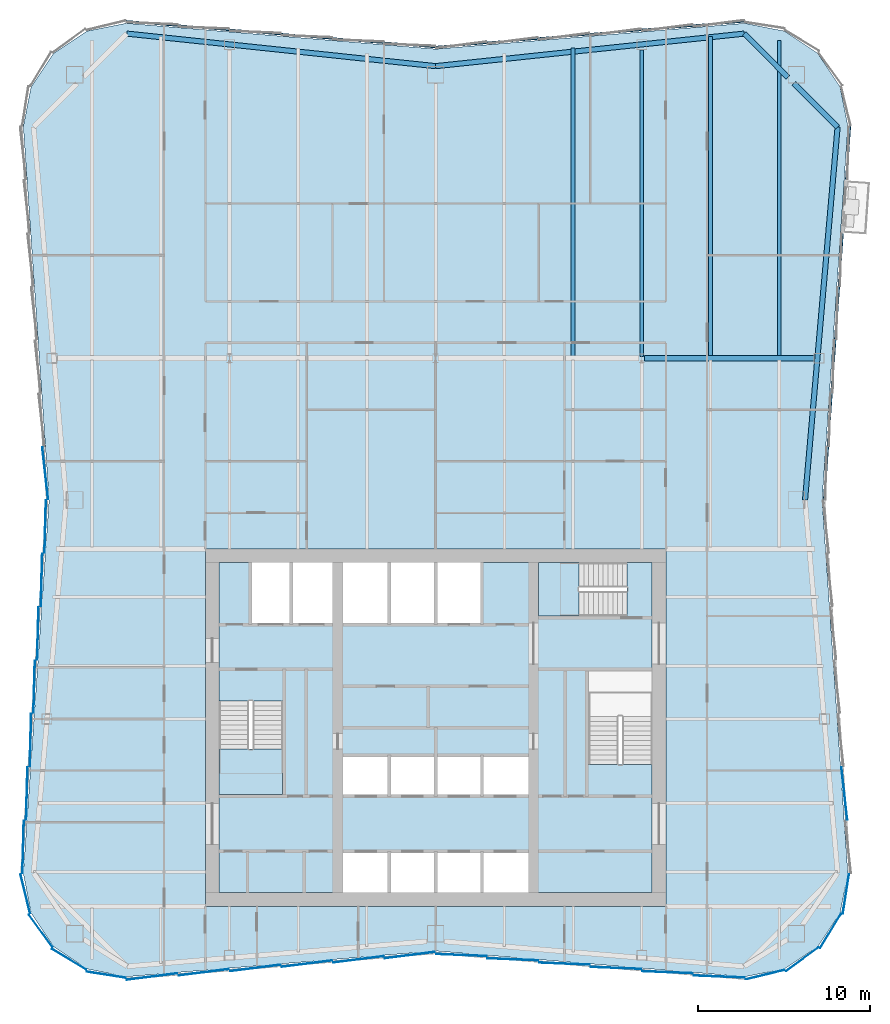
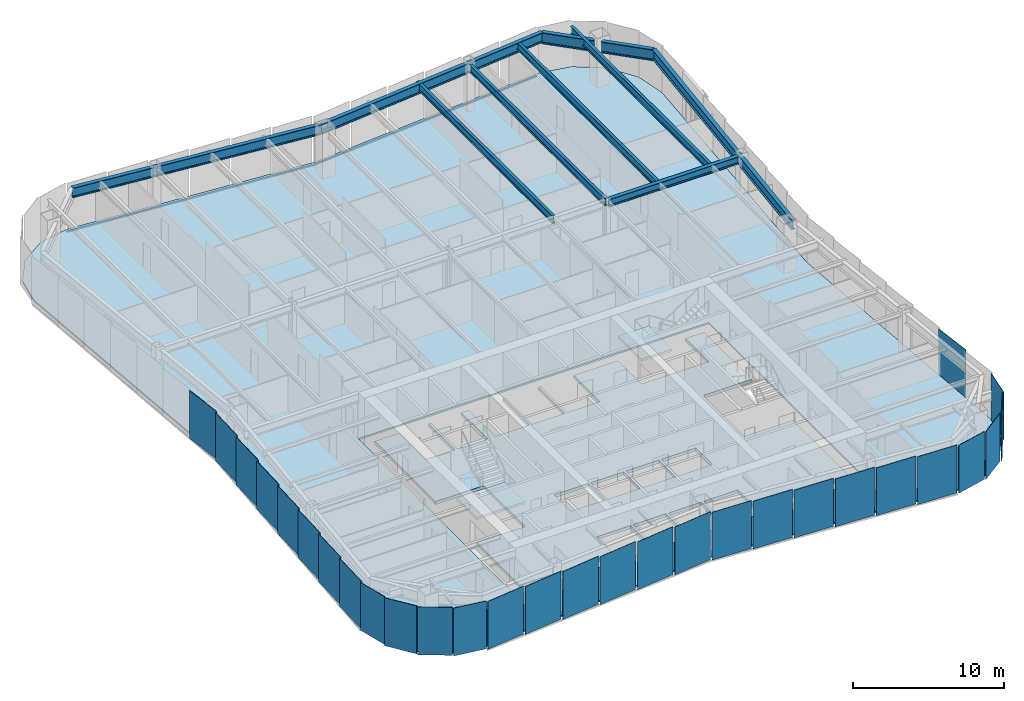
# One storey, part 4 of 12: 29 plates, 10 beams, 4 members, 4 slabs, 8 elements without a shape of their own.
"""IFC4 building model written with IfcOpenShell, lengths in metres."""

from ifc_helpers import new_model, si_unit, direction, frame, origin, origin_2d, place, context, subcontext, project, spatial, polyline, rectangle, i_section, outline, extrude, material, layer, layer_set, material_profile, profile_set, type_object, element, aggregate, save


model = new_model("IFC4")

# Units and contexts
model_context = context("Model", 3, precision=1e-05, world=origin(), true_north=direction((0.0, 1.0)))
body_context = subcontext(model_context, "Body", "Model", "MODEL_VIEW")
ifc_project = project(units=[si_unit("LENGTHUNIT", "METRE"), si_unit("AREAUNIT", "SQUARE_METRE"), si_unit("VOLUMEUNIT", "CUBIC_METRE"), si_unit("PLANEANGLEUNIT", "RADIAN"), si_unit("MASSUNIT", "GRAM", prefix="KILO")], contexts=[model_context])

# Site, building, storey
site_placement = place(None, origin())
site = spatial("IfcSite", under=ifc_project, at=site_placement, CompositionType="ELEMENT")
building_placement = place(site_placement, origin())
building = spatial("IfcBuilding", under=site, at=building_placement, Name="Verdant Reach Tower", CompositionType="ELEMENT")
storey_placement = place(building_placement, frame((0.0, 0.0, 278.0)))
storey = spatial("IfcBuildingStorey", under=building, at=storey_placement, Name="L64", CompositionType="ELEMENT", Elevation=278.0)

# Curtain wall, members
ifc_material_1 = material(Name="Anodised aluminium", Category="aluminium")
curtain_wall_type = type_object("IfcCurtainWallType", Name="EN-CW SYSTEM Z4", PredefinedType="NOTDEFINED", material=ifc_material_1)
curtain_wall_1_placement = place(storey_placement, origin())
curtain_wall_1 = element("IfcCurtainWall", 1, at=curtain_wall_1_placement, inside=storey, type_object=curtain_wall_type, Name="Curtain wall east, L64", PredefinedType="NOTDEFINED")
ifc_material_profile_1 = material_profile(ifc_material_1, rectangle(XDim=0.10009765625, YDim=0.1279296875, at=origin_2d()), Name="Transom 128x100")
ifc_profile_set_1 = profile_set([ifc_material_profile_1], Name="Anodised aluminium")
member_type = type_object("IfcMemberType", Name="EN-TRANSOM Z4", PredefinedType="USERDEFINED", material=ifc_profile_set_1)
member_1_placement = place(storey_placement, frame((22.6142578125, 41.283935546875, -0.285888671875), z_axis=(0.068829665926, 0.997628426363, 0.0), x_axis=(-0.997628426363, 0.068829665926, 0.0)))
member_1 = element("IfcMember", 2, at=member_1_placement, type_object=member_type, Name="Transom east face part 2 1.1, L64", ObjectType="TRANSOM", PredefinedType="USERDEFINED", context=body_context, shape_type="SweptSolid", body=[
    extrude(rectangle(XDim=0.10009765625, YDim=0.1279296875, at=origin_2d()), origin(), (0.0, 0.0, 1.0), 15.4970703125),
])
member_2_placement = place(storey_placement, frame((23.899658203125, 59.919189453125, -0.285888671875), z_axis=(0.068509214601, 0.997650483644, 0.0), x_axis=(-0.997650483644, 0.068509214601, 0.0)))
member_2 = element("IfcMember", 3, at=member_2_placement, type_object=member_type, Name="Transom east face part 2 2.1, L64", ObjectType="TRANSOM", PredefinedType="USERDEFINED", context=body_context, shape_type="SweptSolid", body=[
    extrude(rectangle(XDim=0.10009765625, YDim=0.1279296875, at=origin_2d()), origin(), (0.0, 0.0, 1.0), 3.06103515625),
])

curtain_wall_2_placement = place(storey_placement, origin())
curtain_wall_2 = element("IfcCurtainWall", 4, at=curtain_wall_2_placement, inside=storey, type_object=curtain_wall_type, Name="Curtain wall north, L64", PredefinedType="NOTDEFINED")
member_3_placement = place(storey_placement, frame((17.972412109375, 69.10888671875, -0.285888671875), z_axis=(-0.996549124771, -0.083005071637, 0.0), x_axis=(0.083005071637, -0.996549124771, 0.0)))
member_3 = element("IfcMember", 5, at=member_3_placement, type_object=member_type, Name="Transom north face part 1 1.1, L64", ObjectType="TRANSOM", PredefinedType="USERDEFINED", context=body_context, shape_type="SweptSolid", body=[
    extrude(rectangle(XDim=0.10009765625, YDim=0.1279296875, at=origin_2d()), origin(), (0.0, 0.0, 1.0), 18.00048828125),
])
member_4_placement = place(storey_placement, frame((-0.033935546875, 67.61474609375, -0.285888671875), z_axis=(-0.996549124771, 0.083005071637, 0.0), x_axis=(-0.083005071637, -0.996549124771, 0.0)))
member_4 = element("IfcMember", 6, at=member_4_placement, type_object=member_type, Name="Transom north face part 2 1.1, L64", ObjectType="TRANSOM", PredefinedType="USERDEFINED", context=body_context, shape_type="SweptSolid", body=[
    extrude(rectangle(XDim=0.10009765625, YDim=0.1279296875, at=origin_2d()), origin(), (0.0, 0.0, 1.0), 18.00048828125),
])
aggregate(curtain_wall_2, [member_3, member_4])

# Beams
ifc_material_2 = material(Name="Steel S355", Category="steel")
ifc_material_profile_2 = material_profile(ifc_material_2, i_section(OverallWidth=0.300048828125, OverallDepth=0.60009765625, WebThickness=0.015380859375, FlangeThickness=0.030029296875, FilletRadius=0.027099609375, at=origin_2d()), Name="HEB 600")
ifc_profile_set_2 = profile_set([ifc_material_profile_2], Name="Steel S355")
beam_type_1 = type_object("IfcBeamType", Name="ST-BEAM-HEB600", PredefinedType="BEAM", material=ifc_profile_set_2)
beam_1_placement = place(storey_placement, frame((12.153076171875, 49.5, 3.449951171875), z_axis=(1.0, 0.0, 0.0), x_axis=(0.0, 1.0, 0.0)))
element("IfcBeam", 7, at=beam_1_placement, inside=storey, type_object=beam_type_1, Name="Row girder, L64", PredefinedType="BEAM", context=body_context, shape_type="SweptSolid", body=[
    extrude(i_section(OverallWidth=0.300048828125, OverallDepth=0.60009765625, WebThickness=0.015380859375, FlangeThickness=0.030029296875, FilletRadius=0.027099609375, at=origin_2d()), origin(), (0.0, 0.0, 1.0), 9.865966796875),
])
ifc_material_profile_3 = material_profile(ifc_material_2, i_section(OverallWidth=0.219970703125, OverallDepth=0.60009765625, WebThickness=0.011962890625, FlangeThickness=0.01904296875, FilletRadius=0.02392578125, at=origin_2d()), Name="IPE 600")
ifc_profile_set_3 = profile_set([ifc_material_profile_3], Name="Steel S355")
beam_type_2 = type_object("IfcBeamType", Name="ST-JOIST-IPE600", PredefinedType="JOIST", material=ifc_profile_set_3)
beam_2_placement = place(storey_placement, frame((8.0, 49.60009765625, 3.449951171875), z_axis=(0.0, 1.0, 0.0), x_axis=(-1.0, 0.0, 0.0)))
element("IfcBeam", 8, at=beam_2_placement, inside=storey, type_object=beam_type_2, Name="Floor joist, L64", PredefinedType="JOIST", context=body_context, shape_type="SweptSolid", body=[
    extrude(i_section(OverallWidth=0.219970703125, OverallDepth=0.60009765625, WebThickness=0.011962890625, FlangeThickness=0.01904296875, FilletRadius=0.02392578125, at=origin_2d()), origin(), (0.0, 0.0, 1.0), 17.964599609375),
])
beam_3_placement = place(storey_placement, frame((12.0, 49.60009765625, 3.449951171875), z_axis=(0.0, 1.0, 0.0), x_axis=(-1.0, 0.0, 0.0)))
element("IfcBeam", 9, at=beam_3_placement, inside=storey, type_object=beam_type_2, Name="Floor joist, L64", PredefinedType="JOIST", context=body_context, shape_type="SweptSolid", body=[
    extrude(i_section(OverallWidth=0.219970703125, OverallDepth=0.60009765625, WebThickness=0.011962890625, FlangeThickness=0.01904296875, FilletRadius=0.02392578125, at=origin_2d()), origin(), (0.0, 0.0, 1.0), 17.849853515625),
])
beam_4_placement = place(storey_placement, frame((16.0, 49.60009765625, 3.449951171875), z_axis=(0.0, 1.0, 0.0), x_axis=(-1.0, 0.0, 0.0)))
element("IfcBeam", 10, at=beam_4_placement, inside=storey, type_object=beam_type_2, Name="Floor joist, L64", PredefinedType="JOIST", context=body_context, shape_type="SweptSolid", body=[
    extrude(i_section(OverallWidth=0.219970703125, OverallDepth=0.60009765625, WebThickness=0.011962890625, FlangeThickness=0.01904296875, FilletRadius=0.02392578125, at=origin_2d()), origin(), (0.0, 0.0, 1.0), 18.631103515625),
])
beam_5_placement = place(storey_placement, frame((20.0, 49.60009765625, 3.449951171875), z_axis=(0.0, 1.0, 0.0), x_axis=(-1.0, 0.0, 0.0)))
element("IfcBeam", 11, at=beam_5_placement, inside=storey, type_object=beam_type_2, Name="Floor joist, L64", PredefinedType="JOIST", context=body_context, shape_type="SweptSolid", body=[
    extrude(i_section(OverallWidth=0.219970703125, OverallDepth=0.60009765625, WebThickness=0.011962890625, FlangeThickness=0.01904296875, FilletRadius=0.02392578125, at=origin_2d()), origin(), (0.0, 0.0, 1.0), 18.390380859375),
])
ifc_material_profile_4 = material_profile(ifc_material_2, i_section(OverallWidth=0.300048828125, OverallDepth=0.800048828125, WebThickness=0.017578125, FlangeThickness=0.032958984375, FilletRadius=0.030029296875, at=origin_2d()), Name="HEB 800")
ifc_profile_set_4 = profile_set([ifc_material_profile_4], Name="Steel S355")
beam_type_3 = type_object("IfcBeamType", Name="ST-SPANDREL-HEB800", PredefinedType="SPANDREL", material=ifc_profile_set_4)
for number, where, z_axis, x_axis, name in (
    (12, (-17.9658203125, 68.39501953125, 3.35009765625), (0.994483067002, -0.104897232783, 0.0), (0.104897232783, 0.994483067002, 0.0), "Edge beam, L64"),
    (13, (0.0, 66.5, 3.35009765625), (0.994483067002, 0.104897232783, 0.0), (-0.104897232783, 0.994483067002, 0.0), "Edge beam, L64"),
):
    element("IfcBeam", number, at=place(storey_placement, frame(where, z_axis=z_axis, x_axis=x_axis)), inside=storey, type_object=beam_type_3, Name=name, PredefinedType="SPANDREL", context=body_context, shape_type="SweptSolid", body=[
        extrude(i_section(OverallWidth=0.300048828125, OverallDepth=0.800048828125, WebThickness=0.017578125, FlangeThickness=0.032958984375, FilletRadius=0.030029296875, at=origin_2d()), origin(), (0.0, 0.0, 1.0), 18.0654296875),
    ])
beam_6_placement = place(storey_placement, frame((23.39599609375, 62.96142578125, 3.35009765625), z_axis=(-0.086996024331, -0.996208658741, 0.0), x_axis=(0.996208658741, -0.086996024331, 0.0)))
element("IfcBeam", 14, at=beam_6_placement, inside=storey, type_object=beam_type_3, Name="Edge beam, L64", PredefinedType="SPANDREL", context=body_context, shape_type="SweptSolid", body=[
    extrude(i_section(OverallWidth=0.300048828125, OverallDepth=0.800048828125, WebThickness=0.017578125, FlangeThickness=0.032958984375, FilletRadius=0.030029296875, at=origin_2d()), origin(), (0.0, 0.0, 1.0), 21.7939453125),
])
ifc_material_profile_5 = material_profile(ifc_material_2, i_section(OverallWidth=0.302001953125, OverallDepth=0.909912109375, WebThickness=0.02099609375, FlangeThickness=0.0400390625, FilletRadius=0.030029296875, at=origin_2d()), Name="HEM 900")
ifc_profile_set_5 = profile_set([ifc_material_profile_5], Name="Steel S355")
beam_type_4 = type_object("IfcBeamType", Name="ST-SPANDREL-HEM900", PredefinedType="SPANDREL", material=ifc_profile_set_5)
beam_7_placement = place(storey_placement, frame((17.9658203125, 68.39501953125, 3.294921875), z_axis=(0.706868394255, -0.707345087777, 0.0), x_axis=(0.707345087777, 0.706868394255, 0.0)))
element("IfcBeam", 15, at=beam_7_placement, inside=storey, type_object=beam_type_4, Name="Edge beam, L64", PredefinedType="SPANDREL", context=body_context, shape_type="SweptSolid", body=[
    extrude(i_section(OverallWidth=0.302001953125, OverallDepth=0.909912109375, WebThickness=0.02099609375, FlangeThickness=0.0400390625, FilletRadius=0.030029296875, at=origin_2d()), origin(), (0.0, 0.0, 1.0), 3.5849609375),
])
beam_8_placement = place(storey_placement, frame((20.85888671875, 65.5, 3.294921875), z_axis=(0.706902680526, -0.707310822952, 0.0), x_axis=(0.707310822952, 0.706902680526, 0.0)))
element("IfcBeam", 16, at=beam_8_placement, inside=storey, type_object=beam_type_4, Name="Edge beam, L64", PredefinedType="SPANDREL", context=body_context, shape_type="SweptSolid", body=[
    extrude(i_section(OverallWidth=0.302001953125, OverallDepth=0.909912109375, WebThickness=0.02099609375, FlangeThickness=0.0400390625, FilletRadius=0.030029296875, at=origin_2d()), origin(), (0.0, 0.0, 1.0), 3.589111328125),
])

# Stair, slab
ifc_material_3 = material(Name="Concrete C40/50", Category="concrete")
stair_type = type_object("IfcStairType", Name="CO-STAIR", PredefinedType="HALF_TURN_STAIR", material=ifc_material_3)
stair_1_placement = place(storey_placement, origin())
stair_1 = element("IfcStair", 17, at=stair_1_placement, inside=storey, type_object=stair_type, Name="L64 Exit stair 1", PredefinedType="HALF_TURN_STAIR")
ifc_layer_1 = layer(ifc_material_3, 0.199951171875)
ifc_layer_set_1 = layer_set([ifc_layer_1], Name="CO-STAIR-LANDING")
slab_type_1 = type_object("IfcSlabType", Name="CO-STAIR-LANDING", PredefinedType="LANDING", material=ifc_layer_set_1)
slab_1_placement = place(storey_placement, frame((0.0, 0.0, 1.800048828125)))
slab_1 = element("IfcSlab", 18, at=slab_1_placement, type_object=slab_type_1, Name="ST-1 landing 1", PredefinedType="LANDING", context=body_context, shape_type="SweptSolid", body=[
    extrude(outline(polyline([(-12.60009765625, 26.75), (-12.60009765625, 24.10009765625), (-8.89990234375, 24.10009765625), (-8.89990234375, 26.75), (-12.60009765625, 26.75)])), origin(), (0.0, 0.0, 1.0), 0.199951171875),
])
aggregate(stair_1, [slab_1])

stair_2_placement = place(storey_placement, origin())
stair_2 = element("IfcStair", 19, at=stair_2_placement, inside=storey, type_object=stair_type, Name="L64 Exit stair 3", PredefinedType="HALF_TURN_STAIR")
slab_2_placement = place(storey_placement, frame((0.0, 0.0, 1.800048828125)))
slab_2 = element("IfcSlab", 20, at=slab_2_placement, type_object=slab_type_1, Name="ST-3 landing 1", PredefinedType="LANDING", context=body_context, shape_type="SweptSolid", body=[
    extrude(outline(polyline([(8.35009765625, 37.60009765625), (6.0, 37.60009765625), (6.0, 34.5), (8.35009765625, 34.5), (8.35009765625, 37.60009765625)])), origin(), (0.0, 0.0, 1.0), 0.199951171875),
])
aggregate(stair_2, [slab_2])

# Curtain wall, plates
curtain_wall_3_placement = place(storey_placement, origin())
curtain_wall_3 = element("IfcCurtainWall", 21, at=curtain_wall_3_placement, inside=storey, type_object=curtain_wall_type, Name="Curtain wall south-east corner, L64", PredefinedType="NOTDEFINED")
ifc_material_4 = material(Name="Tinted glass with champagne spandrel", Category="glass")
ifc_layer_2 = layer(ifc_material_4, 0.031982421875)
ifc_layer_set_2 = layer_set([ifc_layer_2], Name="EN-PANEL CHAMPAGNE")
plate_type_1 = type_object("IfcPlateType", Name="EN-PANEL CHAMPAGNE", PredefinedType="CURTAIN_PANEL", material=ifc_layer_set_2)
plate_1_placement = place(storey_placement, frame((22.984375, 16.169677734375, -0.221923828125), z_axis=(0.0, 0.0, 1.0), x_axis=(0.520291539577, 0.853988708265, 0.0)))
plate_1 = element("IfcPlate", 22, at=plate_1_placement, type_object=plate_type_1, Name="Glass panel south-east corner 3.1, L64", PredefinedType="CURTAIN_PANEL", context=body_context, shape_type="SweptSolid", body=[
    extrude(rectangle(XDim=2.32080078125, YDim=0.031982421875, at=origin_2d()), origin(), (0.0, 0.0, 1.0), 3.8720703125),
])
plate_2_placement = place(storey_placement, frame((23.87939453125, 18.326904296875, -0.221923828125), z_axis=(0.0, 0.0, 1.0), x_axis=(0.154324690427, 0.988020187003, 0.0)))
plate_2 = element("IfcPlate", 23, at=plate_2_placement, type_object=plate_type_1, Name="Glass panel south-east corner 4.1, L64", PredefinedType="CURTAIN_PANEL", context=body_context, shape_type="SweptSolid", body=[
    extrude(rectangle(XDim=2.313720703125, YDim=0.031982421875, at=origin_2d()), origin(), (0.0, 0.0, 1.0), 3.8720703125),
])

# Plate
plate_3_placement = place(storey_placement, frame((23.790283203125, 24.16845703125, -0.221923828125), z_axis=(0.0, 0.0, 1.0), x_axis=(-0.110518162674, 0.993874104562, 0.0)))
plate_3 = element("IfcPlate", 24, at=plate_3_placement, type_object=plate_type_1, Name="Glass panel east face part 1 2.1, L64", PredefinedType="CURTAIN_PANEL", context=body_context, shape_type="SweptSolid", body=[
    extrude(rectangle(XDim=3.050537109375, YDim=0.031982421875, at=origin_2d()), origin(), (0.0, 0.0, 1.0), 3.8720703125),
])

aggregate(curtain_wall_1, [plate_3, member_1, member_2])

# Curtain wall, plates
curtain_wall_4_placement = place(storey_placement, origin())
curtain_wall_4 = element("IfcCurtainWall", 25, at=curtain_wall_4_placement, inside=storey, type_object=curtain_wall_type, Name="Curtain wall west, L64", PredefinedType="NOTDEFINED")
plate_4_placement = place(storey_placement, frame((-22.718994140625, 42.7998046875, -0.221923828125), z_axis=(0.0, 0.0, 1.0), x_axis=(0.110603065042, -0.993864659802, 0.0)))
plate_4 = element("IfcPlate", 26, at=plate_4_placement, type_object=plate_type_1, Name="Glass panel west face part 1 7.1, L64", PredefinedType="CURTAIN_PANEL", context=body_context, shape_type="SweptSolid", body=[
    extrude(rectangle(XDim=3.042724609375, YDim=0.031982421875, at=origin_2d()), origin(), (0.0, 0.0, 1.0), 3.8720703125),
])
plate_5_placement = place(storey_placement, frame((-22.718994140625, 39.7001953125, -0.221923828125), z_axis=(0.0, 0.0, 1.0), x_axis=(-0.027050713229, -0.999634062502, 0.0)))
plate_5 = element("IfcPlate", 27, at=plate_5_placement, type_object=plate_type_1, Name="Glass panel west face part 2 1.1, L64", PredefinedType="CURTAIN_PANEL", context=body_context, shape_type="SweptSolid", body=[
    extrude(rectangle(XDim=3.042724609375, YDim=0.031982421875, at=origin_2d()), origin(), (0.0, 0.0, 1.0), 3.8720703125),
])
plate_6_placement = place(storey_placement, frame((-24.004638671875, 21.053955078125, -0.221923828125), z_axis=(0.0, 0.0, 1.0), x_axis=(-0.026651253217, -0.999644792265, 0.0)))
plate_6 = element("IfcPlate", 28, at=plate_6_placement, type_object=plate_type_1, Name="Glass panel west face part 2 7.1, L64", PredefinedType="CURTAIN_PANEL", context=body_context, shape_type="SweptSolid", body=[
    extrude(rectangle(XDim=3.0654296875, YDim=0.031982421875, at=origin_2d()), origin(), (0.0, 0.0, 1.0), 3.8720703125),
])

curtain_wall_5_placement = place(storey_placement, origin())
curtain_wall_5 = element("IfcCurtainWall", 29, at=curtain_wall_5_placement, inside=storey, type_object=curtain_wall_type, Name="Curtain wall south, L64", PredefinedType="NOTDEFINED")
plate_7_placement = place(storey_placement, frame((-10.49072265625, 14.013427734375, -0.221923828125), z_axis=(0.0, 0.0, 1.0), x_axis=(0.992194034542, 0.124703639961, 0.0)))
plate_7 = element("IfcPlate", 30, at=plate_7_placement, type_object=plate_type_1, Name="Glass panel south face part 1 3.1, L64", PredefinedType="CURTAIN_PANEL", context=body_context, shape_type="SweptSolid", body=[
    extrude(rectangle(XDim=2.9462890625, YDim=0.031982421875, at=origin_2d()), origin(), (0.0, 0.0, 1.0), 3.8720703125),
])
plate_8_placement = place(storey_placement, frame((-7.49072265625, 14.263427734375, -0.221923828125), z_axis=(0.0, 0.0, 1.0), x_axis=(0.992194034542, 0.124703639961, 0.0)))
plate_8 = element("IfcPlate", 31, at=plate_8_placement, type_object=plate_type_1, Name="Glass panel south face part 1 4.1, L64", PredefinedType="CURTAIN_PANEL", context=body_context, shape_type="SweptSolid", body=[
    extrude(rectangle(XDim=2.9462890625, YDim=0.031982421875, at=origin_2d()), origin(), (0.0, 0.0, 1.0), 3.8720703125),
])
plate_9_placement = place(storey_placement, frame((10.49072265625, 14.013427734375, -0.221923828125), z_axis=(0.0, 0.0, 1.0), x_axis=(0.999149202059, -0.041241629766, 0.0)))
plate_9 = element("IfcPlate", 32, at=plate_9_placement, type_object=plate_type_1, Name="Glass panel south face part 2 4.1, L64", PredefinedType="CURTAIN_PANEL", context=body_context, shape_type="SweptSolid", body=[
    extrude(rectangle(XDim=2.9462890625, YDim=0.031982421875, at=origin_2d()), origin(), (0.0, 0.0, 1.0), 3.8720703125),
])
plate_10_placement = place(storey_placement, frame((13.49072265625, 13.763427734375, -0.221923828125), z_axis=(0.0, 0.0, 1.0), x_axis=(0.999149202059, -0.041241629766, 0.0)))
plate_10 = element("IfcPlate", 33, at=plate_10_placement, type_object=plate_type_1, Name="Glass panel south face part 2 5.1, L64", PredefinedType="CURTAIN_PANEL", context=body_context, shape_type="SweptSolid", body=[
    extrude(rectangle(XDim=2.9462890625, YDim=0.031982421875, at=origin_2d()), origin(), (0.0, 0.0, 1.0), 3.8720703125),
])
plate_11_placement = place(storey_placement, frame((16.49853515625, 13.51318359375, -0.221923828125), z_axis=(0.0, 0.0, 1.0), x_axis=(0.999164016711, -0.040881141246, 0.0)))
plate_11 = element("IfcPlate", 34, at=plate_11_placement, type_object=plate_type_1, Name="Glass panel south face part 2 6.1, L64", PredefinedType="CURTAIN_PANEL", context=body_context, shape_type="SweptSolid", body=[
    extrude(rectangle(XDim=2.9619140625, YDim=0.031982421875, at=origin_2d()), origin(), (0.0, 0.0, 1.0), 3.8720703125),
])

# Plate
ifc_material_5 = material(Name="Tinted glass with copper spandrel", Category="glass")
ifc_layer_3 = layer(ifc_material_5, 0.031982421875)
ifc_layer_set_3 = layer_set([ifc_layer_3], Name="EN-PANEL COPPER")
plate_type_2 = type_object("IfcPlateType", Name="EN-PANEL COPPER", PredefinedType="CURTAIN_PANEL", material=ifc_layer_set_3)
plate_12_placement = place(storey_placement, frame((-22.93310546875, 36.596923828125, -0.221923828125), z_axis=(0.0, 0.0, 1.0), x_axis=(-0.026965318308, -0.999636369691, 0.0)))
plate_12 = element("IfcPlate", 35, at=plate_12_placement, type_object=plate_type_2, Name="Glass panel west face part 2 2.1, L64", PredefinedType="CURTAIN_PANEL", context=body_context, shape_type="SweptSolid", body=[
    extrude(rectangle(XDim=3.050537109375, YDim=0.031982421875, at=origin_2d()), origin(), (0.0, 0.0, 1.0), 3.8720703125),
])

plate_13_placement = place(storey_placement, frame((-23.1474609375, 33.48974609375, -0.221923828125), z_axis=(0.0, 0.0, 1.0), x_axis=(-0.026965318308, -0.999636369691, 0.0)))
plate_13 = element("IfcPlate", 36, at=plate_13_placement, type_object=plate_type_2, Name="Glass panel west face part 2 3.1, L64", PredefinedType="CURTAIN_PANEL", context=body_context, shape_type="SweptSolid", body=[
    extrude(rectangle(XDim=3.050537109375, YDim=0.031982421875, at=origin_2d()), origin(), (0.0, 0.0, 1.0), 3.8720703125),
])

# Curtain wall, plates
curtain_wall_6_placement = place(storey_placement, origin())
curtain_wall_6 = element("IfcCurtainWall", 37, at=curtain_wall_6_placement, inside=storey, type_object=curtain_wall_type, Name="Curtain wall south-west corner, L64", PredefinedType="NOTDEFINED")
plate_14_placement = place(storey_placement, frame((-23.87939453125, 18.326904296875, -0.221923828125), z_axis=(0.0, 0.0, 1.0), x_axis=(0.236458850433, -0.971641503875, 0.0)))
plate_14 = element("IfcPlate", 38, at=plate_14_placement, type_object=plate_type_2, Name="Glass panel south-west corner 1.1, L64", PredefinedType="CURTAIN_PANEL", context=body_context, shape_type="SweptSolid", body=[
    extrude(rectangle(XDim=2.313720703125, YDim=0.031982421875, at=origin_2d()), origin(), (0.0, 0.0, 1.0), 3.8720703125),
])
plate_15_placement = place(storey_placement, frame((-22.984375, 16.169677734375, -0.221923828125), z_axis=(0.0, 0.0, 1.0), x_axis=(0.589926737254, -0.80745677573, 0.0)))
plate_15 = element("IfcPlate", 39, at=plate_15_placement, type_object=plate_type_2, Name="Glass panel south-west corner 2.1, L64", PredefinedType="CURTAIN_PANEL", context=body_context, shape_type="SweptSolid", body=[
    extrude(rectangle(XDim=2.32080078125, YDim=0.031982421875, at=origin_2d()), origin(), (0.0, 0.0, 1.0), 3.8720703125),
])

# Plate
plate_16_placement = place(storey_placement, frame((-4.49072265625, 14.513427734375, -0.221923828125), z_axis=(0.0, 0.0, 1.0), x_axis=(0.992194034542, 0.124703639961, 0.0)))
plate_16 = element("IfcPlate", 40, at=plate_16_placement, type_object=plate_type_2, Name="Glass panel south face part 1 5.1, L64", PredefinedType="CURTAIN_PANEL", context=body_context, shape_type="SweptSolid", body=[
    extrude(rectangle(XDim=2.9462890625, YDim=0.031982421875, at=origin_2d()), origin(), (0.0, 0.0, 1.0), 3.8720703125),
])

plate_17_placement = place(storey_placement, frame((-1.495361328125, 14.76318359375, -0.221923828125), z_axis=(0.0, 0.0, 1.0), x_axis=(0.992177950603, 0.124831543836, 0.0)))
plate_17 = element("IfcPlate", 41, at=plate_17_placement, type_object=plate_type_2, Name="Glass panel south face part 1 6.1, L64", PredefinedType="CURTAIN_PANEL", context=body_context, shape_type="SweptSolid", body=[
    extrude(rectangle(XDim=2.93701171875, YDim=0.031982421875, at=origin_2d()), origin(), (0.0, 0.0, 1.0), 3.8720703125),
])

plate_18_placement = place(storey_placement, frame((1.495361328125, 14.76318359375, -0.221923828125), z_axis=(0.0, 0.0, 1.0), x_axis=(0.999143877249, -0.041370430933, 0.0)))
plate_18 = element("IfcPlate", 42, at=plate_18_placement, type_object=plate_type_2, Name="Glass panel south face part 2 1.1, L64", PredefinedType="CURTAIN_PANEL", context=body_context, shape_type="SweptSolid", body=[
    extrude(rectangle(XDim=2.93701171875, YDim=0.031982421875, at=origin_2d()), origin(), (0.0, 0.0, 1.0), 3.8720703125),
])

ifc_material_6 = material(Name="Tinted glass with dark bronze spandrel", Category="glass")
ifc_layer_4 = layer(ifc_material_6, 0.031982421875)
ifc_layer_set_4 = layer_set([ifc_layer_4], Name="EN-PANEL DARK")
plate_type_3 = type_object("IfcPlateType", Name="EN-PANEL DARK", PredefinedType="CURTAIN_PANEL", material=ifc_layer_set_4)
plate_19_placement = place(storey_placement, frame((19.172607421875, 13.62060546875, -0.221923828125), z_axis=(0.0, 0.0, 1.0), x_axis=(0.971652337104, 0.236414330786, 0.0)))
plate_19 = element("IfcPlate", 43, at=plate_19_placement, type_object=plate_type_3, Name="Glass panel south-east corner 1.1, L64", PredefinedType="CURTAIN_PANEL", context=body_context, shape_type="SweptSolid", body=[
    extrude(rectangle(XDim=2.314453125, YDim=0.031982421875, at=origin_2d()), origin(), (0.0, 0.0, 1.0), 3.8720703125),
])

plate_20_placement = place(storey_placement, frame((21.330322265625, 14.515625, -0.221923828125), z_axis=(0.0, 0.0, 1.0), x_axis=(0.80745677573, 0.589926737254, 0.0)))
plate_20 = element("IfcPlate", 44, at=plate_20_placement, type_object=plate_type_3, Name="Glass panel south-east corner 2.1, L64", PredefinedType="CURTAIN_PANEL", context=body_context, shape_type="SweptSolid", body=[
    extrude(rectangle(XDim=2.32080078125, YDim=0.031982421875, at=origin_2d()), origin(), (0.0, 0.0, 1.0), 3.8720703125),
])

aggregate(curtain_wall_3, [plate_19, plate_20, plate_1, plate_2])

plate_21_placement = place(storey_placement, frame((-23.36181640625, 30.3828125, -0.221923828125), z_axis=(0.0, 0.0, 1.0), x_axis=(-0.026965318308, -0.999636369691, 0.0)))
plate_21 = element("IfcPlate", 45, at=plate_21_placement, type_object=plate_type_3, Name="Glass panel west face part 2 4.1, L64", PredefinedType="CURTAIN_PANEL", context=body_context, shape_type="SweptSolid", body=[
    extrude(rectangle(XDim=3.050537109375, YDim=0.031982421875, at=origin_2d()), origin(), (0.0, 0.0, 1.0), 3.8720703125),
])

plate_22_placement = place(storey_placement, frame((-23.575927734375, 27.275634765625, -0.221923828125), z_axis=(0.0, 0.0, 1.0), x_axis=(-0.026965318308, -0.999636369691, 0.0)))
plate_22 = element("IfcPlate", 46, at=plate_22_placement, type_object=plate_type_3, Name="Glass panel west face part 2 5.1, L64", PredefinedType="CURTAIN_PANEL", context=body_context, shape_type="SweptSolid", body=[
    extrude(rectangle(XDim=3.050537109375, YDim=0.031982421875, at=origin_2d()), origin(), (0.0, 0.0, 1.0), 3.8720703125),
])

plate_23_placement = place(storey_placement, frame((-23.790283203125, 24.16845703125, -0.221923828125), z_axis=(0.0, 0.0, 1.0), x_axis=(-0.026965318308, -0.999636369691, 0.0)))
plate_23 = element("IfcPlate", 47, at=plate_23_placement, type_object=plate_type_3, Name="Glass panel west face part 2 6.1, L64", PredefinedType="CURTAIN_PANEL", context=body_context, shape_type="SweptSolid", body=[
    extrude(rectangle(XDim=3.050537109375, YDim=0.031982421875, at=origin_2d()), origin(), (0.0, 0.0, 1.0), 3.8720703125),
])

aggregate(curtain_wall_4, [plate_4, plate_5, plate_12, plate_13, plate_21, plate_22, plate_23, plate_6])

plate_24_placement = place(storey_placement, frame((-21.330322265625, 14.515625, -0.221923828125), z_axis=(0.0, 0.0, 1.0), x_axis=(0.853988708265, -0.520291539577, 0.0)))
plate_24 = element("IfcPlate", 48, at=plate_24_placement, type_object=plate_type_3, Name="Glass panel south-west corner 3.1, L64", PredefinedType="CURTAIN_PANEL", context=body_context, shape_type="SweptSolid", body=[
    extrude(rectangle(XDim=2.32080078125, YDim=0.031982421875, at=origin_2d()), origin(), (0.0, 0.0, 1.0), 3.8720703125),
])

plate_25_placement = place(storey_placement, frame((-19.172607421875, 13.62060546875, -0.221923828125), z_axis=(0.0, 0.0, 1.0), x_axis=(0.98802725693, -0.154279420415, 0.0)))
plate_25 = element("IfcPlate", 49, at=plate_25_placement, type_object=plate_type_3, Name="Glass panel south-west corner 4.1, L64", PredefinedType="CURTAIN_PANEL", context=body_context, shape_type="SweptSolid", body=[
    extrude(rectangle(XDim=2.314453125, YDim=0.031982421875, at=origin_2d()), origin(), (0.0, 0.0, 1.0), 3.8720703125),
])

aggregate(curtain_wall_6, [plate_14, plate_15, plate_24, plate_25])

plate_26_placement = place(storey_placement, frame((-16.49853515625, 13.51318359375, -0.221923828125), z_axis=(0.0, 0.0, 1.0), x_axis=(0.992238962139, 0.124345655383, 0.0)))
plate_26 = element("IfcPlate", 50, at=plate_26_placement, type_object=plate_type_3, Name="Glass panel south face part 1 1.1, L64", PredefinedType="CURTAIN_PANEL", context=body_context, shape_type="SweptSolid", body=[
    extrude(rectangle(XDim=2.9619140625, YDim=0.031982421875, at=origin_2d()), origin(), (0.0, 0.0, 1.0), 3.8720703125),
])

plate_27_placement = place(storey_placement, frame((-13.49072265625, 13.763427734375, -0.221923828125), z_axis=(0.0, 0.0, 1.0), x_axis=(0.992194034542, 0.124703639961, 0.0)))
plate_27 = element("IfcPlate", 51, at=plate_27_placement, type_object=plate_type_3, Name="Glass panel south face part 1 2.1, L64", PredefinedType="CURTAIN_PANEL", context=body_context, shape_type="SweptSolid", body=[
    extrude(rectangle(XDim=2.9462890625, YDim=0.031982421875, at=origin_2d()), origin(), (0.0, 0.0, 1.0), 3.8720703125),
])

plate_28_placement = place(storey_placement, frame((4.49072265625, 14.513427734375, -0.221923828125), z_axis=(0.0, 0.0, 1.0), x_axis=(0.999149202059, -0.041241629766, 0.0)))
plate_28 = element("IfcPlate", 52, at=plate_28_placement, type_object=plate_type_3, Name="Glass panel south face part 2 2.1, L64", PredefinedType="CURTAIN_PANEL", context=body_context, shape_type="SweptSolid", body=[
    extrude(rectangle(XDim=2.9462890625, YDim=0.031982421875, at=origin_2d()), origin(), (0.0, 0.0, 1.0), 3.8720703125),
])

plate_29_placement = place(storey_placement, frame((7.49072265625, 14.263427734375, -0.221923828125), z_axis=(0.0, 0.0, 1.0), x_axis=(0.999149202059, -0.041241629766, 0.0)))
plate_29 = element("IfcPlate", 53, at=plate_29_placement, type_object=plate_type_3, Name="Glass panel south face part 2 3.1, L64", PredefinedType="CURTAIN_PANEL", context=body_context, shape_type="SweptSolid", body=[
    extrude(rectangle(XDim=2.9462890625, YDim=0.031982421875, at=origin_2d()), origin(), (0.0, 0.0, 1.0), 3.8720703125),
])

aggregate(curtain_wall_5, [plate_26, plate_27, plate_7, plate_8, plate_16, plate_17, plate_18, plate_28, plate_29, plate_9, plate_10, plate_11])

# Slabs
ifc_material_7 = material(Name="Concrete C35/45", Category="concrete")
ifc_layer_5 = layer(ifc_material_7, 0.1298828125)
ifc_layer_set_5 = layer_set([ifc_layer_5], Name="ST-SLAB-130")
slab_type_2 = type_object("IfcSlabType", Name="ST-SLAB-130", PredefinedType="FLOOR", material=ifc_layer_set_5)
slab_3_placement = place(storey_placement, frame((0.0, 0.0, -0.1298828125)))
element("IfcSlab", 54, at=slab_3_placement, inside=storey, type_object=slab_type_2, Name="Floor slab L64", PredefinedType="FLOOR", context=body_context, shape_type="SweptSolid", body=[
    extrude(outline(polyline([(0.0, 15.0), (-18.0, 13.5), (-20.296142578125, 13.956787109375), (-22.24267578125, 15.25732421875), (-23.543212890625, 17.203857421875), (-24.0, 19.5), (-22.5, 41.25), (-24.0, 63.0), (-23.543212890625, 65.296142578125), (-22.24267578125, 67.24267578125), (-20.296142578125, 68.543212890625), (-18.0, 69.0), (0.0, 67.5), (18.0, 69.0), (20.296142578125, 68.543212890625), (22.24267578125, 67.24267578125), (23.543212890625, 65.296142578125), (24.0, 63.0), (22.5, 41.25), (24.0, 19.5), (23.543212890625, 17.203857421875), (22.24267578125, 15.25732421875), (20.296142578125, 13.956787109375), (18.0, 13.5), (0.0, 15.0)]), holes=[polyline([(13.39990234375, 38.39990234375), (-13.39990234375, 38.39990234375), (-13.39990234375, 17.60009765625), (13.39990234375, 17.60009765625), (13.39990234375, 38.39990234375)])]), origin(), (0.0, 0.0, 1.0), 0.1298828125),
])
ifc_layer_6 = layer(ifc_material_7, 0.25)
ifc_layer_set_6 = layer_set([ifc_layer_6], Name="ST-SLAB-250")
slab_type_3 = type_object("IfcSlabType", Name="ST-SLAB-250", PredefinedType="FLOOR", material=ifc_layer_set_6)
slab_4_placement = place(storey_placement, frame((0.0, 0.0, -0.25)))
element("IfcSlab", 55, at=slab_4_placement, inside=storey, type_object=slab_type_3, Name="Core floor slab L64", PredefinedType="FLOOR", context=body_context, shape_type="SweptSolid", body=[
    extrude(outline(polyline([(12.60009765625, 18.39990234375), (5.39990234375, 18.39990234375), (5.39990234375, 20.699951171875), (2.800048828125, 20.699951171875), (2.800048828125, 18.39990234375), (2.60009765625, 18.39990234375), (2.60009765625, 20.699951171875), (0.10009765625, 20.699951171875), (0.10009765625, 18.39990234375), (-0.10009765625, 18.39990234375), (-0.10009765625, 20.699951171875), (-2.60009765625, 20.699951171875), (-2.60009765625, 18.39990234375), (-2.800048828125, 18.39990234375), (-2.800048828125, 20.699951171875), (-5.39990234375, 20.699951171875), (-5.39990234375, 18.39990234375), (-12.60009765625, 18.39990234375), (-12.60009765625, 24.10009765625), (-8.89990234375, 24.10009765625), (-8.89990234375, 29.548095703125), (-12.60009765625, 29.548095703125), (-12.60009765625, 37.60009765625), (-10.699951171875, 37.60009765625), (-10.699951171875, 34.10009765625), (-8.5, 34.10009765625), (-8.5, 37.60009765625), (-8.300048828125, 37.60009765625), (-8.300048828125, 34.10009765625), (-6.0, 34.10009765625), (-6.0, 37.60009765625), (-5.39990234375, 37.60009765625), (-5.39990234375, 34.10009765625), (-2.800048828125, 34.10009765625), (-2.800048828125, 37.60009765625), (-2.60009765625, 37.60009765625), (-2.60009765625, 34.10009765625), (-0.10009765625, 34.10009765625), (-0.10009765625, 37.60009765625), (0.10009765625, 37.60009765625), (0.10009765625, 34.10009765625), (2.60009765625, 34.10009765625), (2.60009765625, 37.60009765625), (6.0, 37.60009765625), (6.0, 34.5), (11.14794921875, 34.5), (11.14794921875, 37.60009765625), (12.60009765625, 37.60009765625), (12.60009765625, 31.300048828125), (8.89990234375, 31.300048828125), (8.89990234375, 25.85205078125), (12.60009765625, 25.85205078125), (12.60009765625, 18.39990234375)]), holes=[polyline([(-2.800048828125, 24.10009765625), (-2.800048828125, 26.300048828125), (-5.39990234375, 26.300048828125), (-5.39990234375, 24.10009765625), (-2.800048828125, 24.10009765625)]), polyline([(-0.10009765625, 24.10009765625), (-0.10009765625, 26.300048828125), (-2.60009765625, 26.300048828125), (-2.60009765625, 24.10009765625), (-0.10009765625, 24.10009765625)]), polyline([(2.60009765625, 24.10009765625), (2.60009765625, 26.300048828125), (0.10009765625, 26.300048828125), (0.10009765625, 24.10009765625), (2.60009765625, 24.10009765625)]), polyline([(5.39990234375, 24.10009765625), (5.39990234375, 26.300048828125), (2.800048828125, 26.300048828125), (2.800048828125, 24.10009765625), (5.39990234375, 24.10009765625)])]), origin(), (0.0, 0.0, 1.0), 0.25),
])

save(model, "model.ifc")
